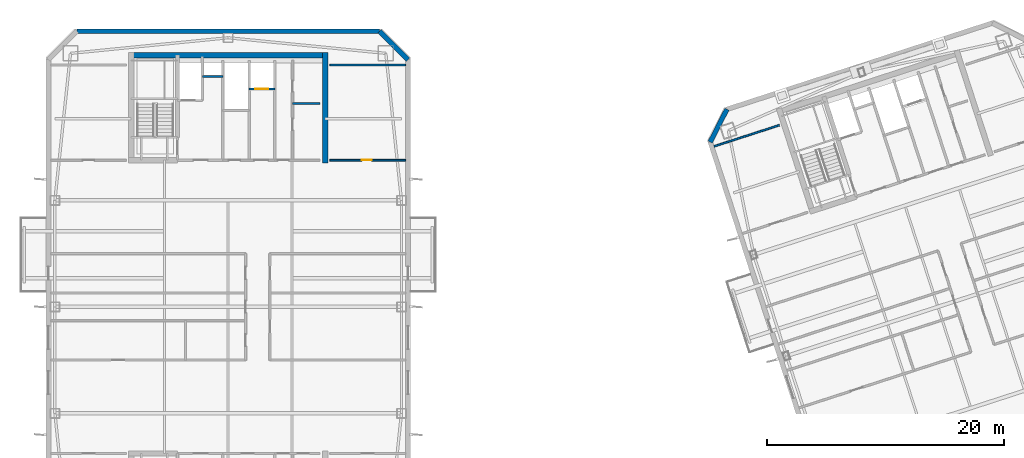
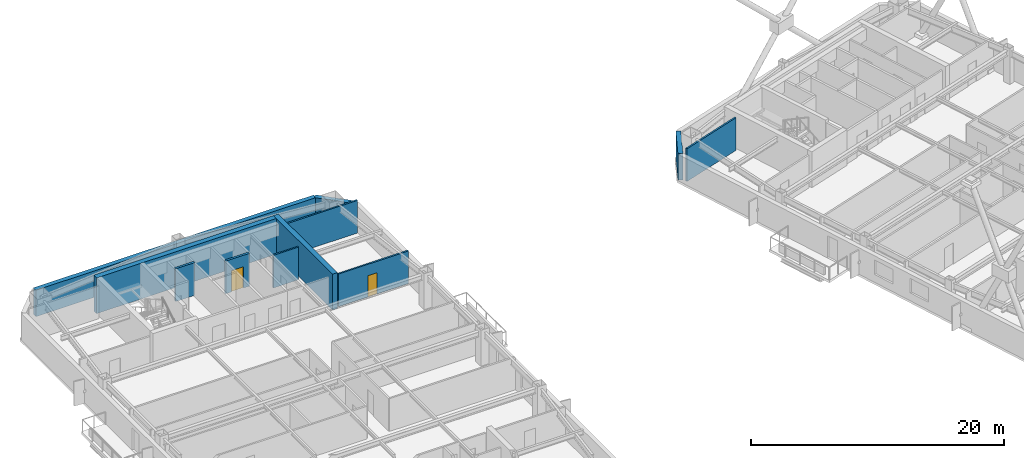
# One storey, part 8 of 18: 11 walls, 2 doors, 2 openings.
"""IFC4 building model written with IfcOpenShell, lengths in metres."""

from ifc_helpers import new_model, si_unit, direction, frame, frame_2d, origin, place, context, subcontext, project, spatial, rectangle, extrude, material, layer, layer_set, type_object, element, fill, save


model = new_model("IFC4")

# Units and contexts
model_context = context("Model", 3, precision=1e-05, world=origin(), true_north=direction((0.0, 1.0)))
body_context = subcontext(model_context, "Body", "Model", "MODEL_VIEW")
ifc_project = project(units=[si_unit("LENGTHUNIT", "METRE"), si_unit("AREAUNIT", "SQUARE_METRE"), si_unit("VOLUMEUNIT", "CUBIC_METRE"), si_unit("PLANEANGLEUNIT", "RADIAN"), si_unit("MASSUNIT", "GRAM", prefix="KILO")], contexts=[model_context])

# Site, building, storey
site_placement = place(None, origin())
site = spatial("IfcSite", under=ifc_project, at=site_placement, CompositionType="ELEMENT")
building_placement = place(site_placement, origin())
building = spatial("IfcBuilding", under=site, at=building_placement, Name="Qiaolan Cultural Towers", CompositionType="ELEMENT")
storey_placement = place(building_placement, frame((0.0, 0.0, 226.550048828125)))
storey = spatial("IfcBuildingStorey", under=building, at=storey_placement, Name="L61", CompositionType="ELEMENT", Elevation=226.550048828125)

# Walls
ifc_material_1 = material(Name="Concrete C50", Category="concrete")
ifc_layer_1 = layer(ifc_material_1, 0.449951171875)
ifc_layer_set_1 = layer_set([ifc_layer_1], Name="Concrete C50")
wall_type_1 = type_object("IfcWallType", Name="WL-CORE-450", PredefinedType="SHEAR", material=ifc_layer_set_1)
wall_1_placement = place(storey_placement, frame((21.574951171875, 55.280029296875, 0.0), z_axis=(0.0, 0.0, 1.0), x_axis=(1.0, 0.0, 0.0)))
element("IfcWall", 1, at=wall_1_placement, inside=storey, type_object=wall_type_1, Name="L61 T1-CN Outer Core Shear Wall", PredefinedType="SHEAR", context=body_context, shape_type="SweptSolid", body=[
    extrude(rectangle(XDim=16.85009765625, YDim=0.449951171875, at=frame_2d((8.425048828125, 0.0))), origin(), (0.0, 0.0, 1.0), 3.449951171875),
])
wall_2_placement = place(storey_placement, frame((38.199951171875, 46.175048828125, 0.0), z_axis=(0.0, 0.0, 1.0), x_axis=(0.0, 1.0, 0.0)))
element("IfcWall", 2, at=wall_2_placement, inside=storey, type_object=wall_type_1, Name="L61 T1-CN East Core Shear Wall", PredefinedType="SHEAR", context=body_context, shape_type="SweptSolid", body=[
    extrude(rectangle(XDim=9.329833984375, YDim=0.449951171875, at=frame_2d((4.6650390625, 0.0))), origin(), (0.0, 0.0, 1.0), 3.449951171875),
])
ifc_material_2 = material(Name="Precast Concrete C50 Honed Stone Pier", Category="masonry")
ifc_layer_2 = layer(ifc_material_2, 0.39990234375)
ifc_layer_set_2 = layer_set([ifc_layer_2], Name="Precast Concrete C50 Honed Stone Pier")
wall_type_2 = type_object("IfcWallType", Name="WL-EXT-PIER-400", PredefinedType="SOLIDWALL", material=ifc_layer_set_2)
wall_3_placement = place(storey_placement, frame((17.199951171875, 57.300048828125, 0.0), z_axis=(0.0, 0.0, 1.0), x_axis=(1.0, 0.0, 0.0)))
element("IfcWall", 3, at=wall_3_placement, inside=storey, type_object=wall_type_2, Name="L61 West Tower Precast Pier Facade Wall F3", PredefinedType="SOLIDWALL", context=body_context, shape_type="SweptSolid", body=[
    extrude(rectangle(XDim=25.60009765625, YDim=0.39990234375, at=frame_2d((12.800048828125, 0.0))), origin(), (0.0, 0.0, 1.0), 2.550048828125),
])
wall_4_placement = place(storey_placement, frame((42.800048828125, 57.300048828125, 0.0), z_axis=(0.0, 0.0, 1.0), x_axis=(0.707070815327, -0.707142745217, 0.0)))
element("IfcWall", 4, at=wall_4_placement, inside=storey, type_object=wall_type_2, Name="L61 West Tower Precast Pier Facade Wall F4", PredefinedType="SOLIDWALL", context=body_context, shape_type="SweptSolid", body=[
    extrude(rectangle(XDim=3.39404296875, YDim=0.39990234375, at=frame_2d((1.697021484375, 0.0))), origin(), (0.0, 0.0, 1.0), 2.550048828125),
])
wall_5_placement = place(storey_placement, frame((70.752197265625, 47.93408203125, 0.0), z_axis=(0.0, 0.0, 1.0), x_axis=(0.453949291228, 0.891027519774, 0.0)))
element("IfcWall", 5, at=wall_5_placement, inside=storey, type_object=wall_type_2, Name="L61 East Tower Precast Pier Facade Wall F2", PredefinedType="SOLIDWALL", context=body_context, shape_type="SweptSolid", body=[
    extrude(rectangle(XDim=3.111328125, YDim=0.39990234375, at=frame_2d((1.5556640625, 0.0))), origin(), (0.0, 0.0, 1.0), 2.550048828125),
])
ifc_material_3 = material(Name="Concrete C35 Fire Wall", Category="concrete")
ifc_layer_3 = layer(ifc_material_3, 0.199951171875)
ifc_layer_set_3 = layer_set([ifc_layer_3], Name="Concrete C35 Fire Wall")
wall_type_3 = type_object("IfcWallType", Name="WL-FIRE-200", PredefinedType="PARTITIONING", material=ifc_layer_set_3)
wall_6_placement = place(storey_placement, frame((27.820068359375, 53.47998046875, 0.0), z_axis=(0.0, 0.0, 1.0), x_axis=(1.0, 0.0, 0.0)))
element("IfcWall", 6, at=wall_6_placement, inside=storey, type_object=wall_type_3, Name="L61 T1-CN Pressurization Shaft Front Wall", PredefinedType="PARTITIONING", context=body_context, shape_type="SweptSolid", body=[
    extrude(rectangle(XDim=1.72998046875, YDim=0.199951171875, at=frame_2d((0.864990234375, 0.0))), origin(), (0.0, 0.0, 1.0), 3.155029296875),
])

# Wall, opening, door
wall_7_placement = place(storey_placement, frame((31.780029296875, 52.419921875, 0.0), z_axis=(0.0, 0.0, 1.0), x_axis=(1.0, 0.0, 0.0)))
wall_7 = element("IfcWall", 7, at=wall_7_placement, inside=storey, type_object=wall_type_3, Name="L61 T1-CN Shuttle Lift Shaft Front", PredefinedType="PARTITIONING", context=body_context, shape_type="SweptSolid", body=[
    extrude(rectangle(XDim=2.169921875, YDim=0.199951171875, at=frame_2d((1.0849609375, 0.0))), origin(), (0.0, 0.0, 1.0), 3.155029296875),
])
opening_1_placement = place(wall_7_placement, frame((0.52001953125, 0.0, 0.0)))
opening_1 = element("IfcOpeningElement", 8, at=opening_1_placement, cuts=wall_7, Name="Opening LD-01", PredefinedType="OPENING", context=body_context, shape_type="SweptSolid", body=[
    extrude(rectangle(XDim=1.10009765625, YDim=2.050048828125, at=frame_2d((0.550048828125, 1.02490234375))), frame((0.0, 0.10986328125, 0.0), z_axis=(0.0, -1.0, 0.0), x_axis=(1.0, 0.0, 0.0)), (0.0, 0.0, 1.0), 0.219970703125),
])
ifc_material_4 = material(Name="Brushed Stainless Steel S30408 Centre-Parting Lift Landing Door", Category="steel")
door_type_1 = type_object("IfcDoorType", Name="DR-LIFT-1100", OperationType="NOTDEFINED", PredefinedType="DOOR", material=ifc_material_4)
door_1_placement = place(opening_1_placement, origin())
door_1 = element("IfcDoor", 9, at=door_1_placement, inside=storey, type_object=door_type_1, Name="L61 Sky Shuttle Lift Landing Door", OperationType="DOUBLE_DOOR_SLIDING", OverallHeight=2.050048828125, OverallWidth=1.10009765625, PredefinedType="DOOR", context=body_context, shape_type="SweptSolid", body=[
    extrude(rectangle(XDim=1.10009765625, YDim=2.050048828125, at=frame_2d((0.550048828125, 1.02490234375))), frame((0.0, 0.02490234375, 0.0), z_axis=(0.0, -1.0, 0.0), x_axis=(1.0, 0.0, 0.0)), (0.0, 0.0, 1.0), 0.050048828125),
])
fill(opening_1, door_1)

# Walls
ifc_material_5 = material(Name="Autoclaved Aerated Concrete Block B06", Category="concrete")
ifc_layer_4 = layer(ifc_material_5, 0.14990234375)
ifc_layer_set_4 = layer_set([ifc_layer_4], Name="Autoclaved Aerated Concrete Block B06")
wall_type_4 = type_object("IfcWallType", Name="WL-PART-150", PredefinedType="PARTITIONING", material=ifc_layer_set_4)
wall_8_placement = place(storey_placement, frame((35.449951171875, 51.199951171875, 0.0), z_axis=(0.0, 0.0, 1.0), x_axis=(1.0, 0.0, 0.0)))
element("IfcWall", 10, at=wall_8_placement, inside=storey, type_object=wall_type_4, Name="L61 T1-CN First-Aid Wall", PredefinedType="PARTITIONING", context=body_context, shape_type="SweptSolid", body=[
    extrude(rectangle(XDim=2.300048828125, YDim=0.14990234375, at=frame_2d((1.14990234375, 0.0))), origin(), (0.0, 0.0, 1.0), 3.155029296875),
])
wall_9_placement = place(storey_placement, frame((38.60009765625, 54.449951171875, 0.0), z_axis=(0.0, 0.0, 1.0), x_axis=(1.0, 0.0, 0.0)))
element("IfcWall", 11, at=wall_9_placement, inside=storey, type_object=wall_type_4, Name="L61 T1 Flank Wall FLK-NE", PredefinedType="PARTITIONING", context=body_context, shape_type="SweptSolid", body=[
    extrude(rectangle(XDim=6.39990234375, YDim=0.14990234375, at=frame_2d((3.199951171875, 0.0))), origin(), (0.0, 0.0, 1.0), 3.155029296875),
])

# Wall, opening, door
wall_10_placement = place(storey_placement, frame((38.60009765625, 46.39990234375, 0.0), z_axis=(0.0, 0.0, 1.0), x_axis=(1.0, 0.0, 0.0)))
wall_10 = element("IfcWall", 12, at=wall_10_placement, inside=storey, type_object=wall_type_4, Name="L61 T1 Flank Front FLK-NE", PredefinedType="PARTITIONING", context=body_context, shape_type="SweptSolid", body=[
    extrude(rectangle(XDim=6.39990234375, YDim=0.14990234375, at=frame_2d((3.199951171875, 0.0))), origin(), (0.0, 0.0, 1.0), 3.155029296875),
])
opening_2_placement = place(wall_10_placement, frame((2.68798828125, 0.0, 0.0)))
opening_2 = element("IfcOpeningElement", 13, at=opening_2_placement, cuts=wall_10, Name="Opening ID-09", PredefinedType="OPENING", context=body_context, shape_type="SweptSolid", body=[
    extrude(rectangle(XDim=0.85009765625, YDim=2.050048828125, at=frame_2d((0.425048828125, 1.02490234375))), frame((0.0, 0.0849609375, 0.0), z_axis=(0.0, -1.0, 0.0), x_axis=(1.0, 0.0, 0.0)), (0.0, 0.0, 1.0), 0.169921875),
])
ifc_material_6 = material(Name="Moisture-Resistant Laminate Utility Door", Category="timber")
door_type_2 = type_object("IfcDoorType", Name="DR-INT-850", OperationType="NOTDEFINED", PredefinedType="DOOR", material=ifc_material_6)
door_2_placement = place(opening_2_placement, origin())
door_2 = element("IfcDoor", 14, at=door_2_placement, inside=storey, type_object=door_type_2, Name="L61 T1 Corner Studio Door", OperationType="SINGLE_SWING_LEFT", OverallHeight=2.050048828125, OverallWidth=0.85009765625, PredefinedType="DOOR", context=body_context, shape_type="SweptSolid", body=[
    extrude(rectangle(XDim=0.85009765625, YDim=2.050048828125, at=frame_2d((0.425048828125, 1.02490234375))), frame((0.0, 0.02490234375, 0.0), z_axis=(0.0, -1.0, 0.0), x_axis=(1.0, 0.0, 0.0)), (0.0, 0.0, 1.0), 0.050048828125),
])
fill(opening_2, door_2)

# Wall
wall_11_placement = place(storey_placement, frame((71.081298828125, 47.56787109375, 0.0), z_axis=(0.0, 0.0, 1.0), x_axis=(0.951059431056, 0.309008023519, 0.0)))
element("IfcWall", 15, at=wall_11_placement, inside=storey, type_object=wall_type_4, Name="L61 T2 Flank Wall FLK-NW", PredefinedType="PARTITIONING", context=body_context, shape_type="SweptSolid", body=[
    extrude(rectangle(XDim=5.800048828125, YDim=0.14990234375, at=frame_2d((2.89990234375, 0.0))), origin(), (0.0, 0.0, 1.0), 3.155029296875),
])

save(model, "model.ifc")
